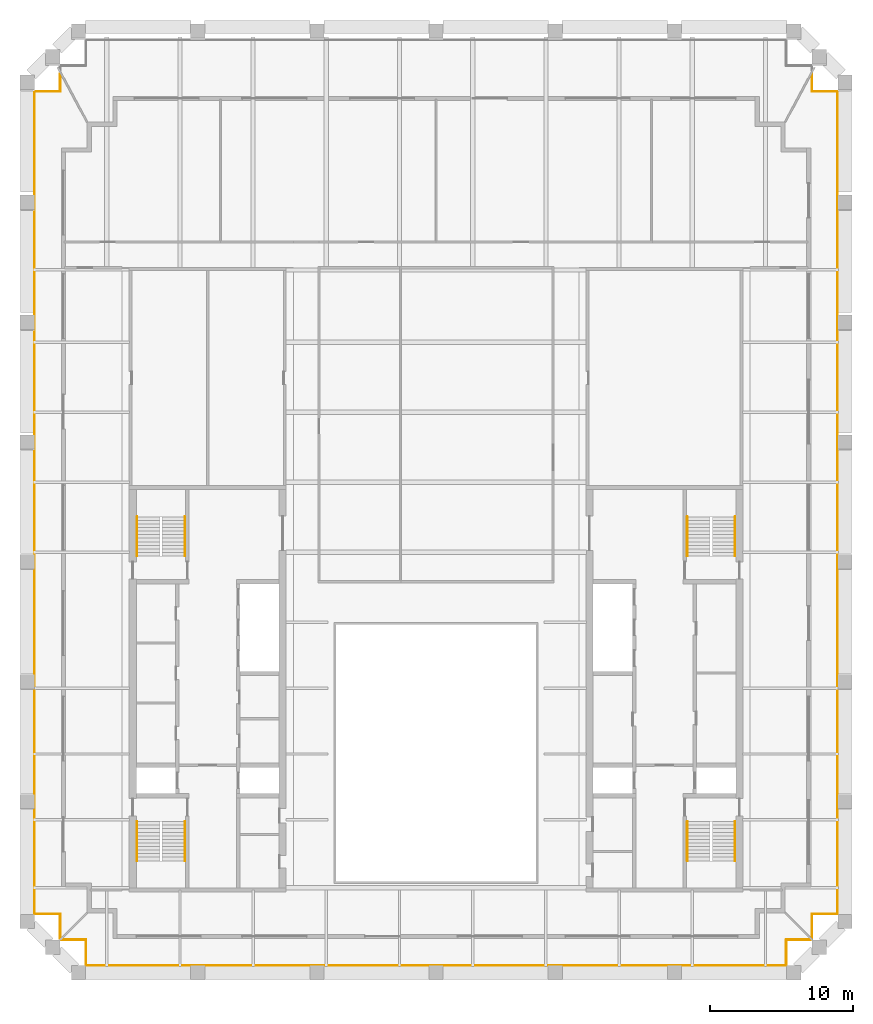
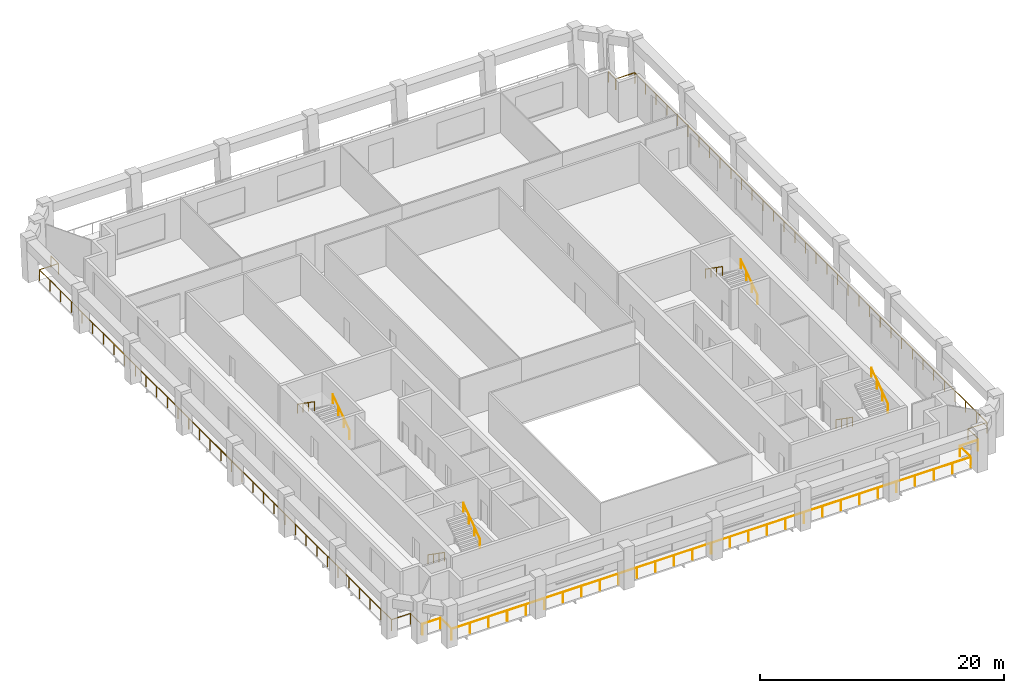
# One storey, part 7 of 8: 11 railings.
"""IFC4 building model written with IfcOpenShell, lengths in metres."""

from ifc_helpers import new_model, si_unit, direction, frame, origin, origin_2d, place, context, subcontext, project, spatial, circle, extrude, material, type_object, element, save


model = new_model("IFC4")

# Units and contexts
model_context = context("Model", 3, precision=1e-05, world=origin(), true_north=direction((0.0, 1.0)))
body_context = subcontext(model_context, "Body", "Model", "MODEL_VIEW")
ifc_project = project(units=[si_unit("LENGTHUNIT", "METRE"), si_unit("AREAUNIT", "SQUARE_METRE"), si_unit("VOLUMEUNIT", "CUBIC_METRE"), si_unit("PLANEANGLEUNIT", "RADIAN"), si_unit("MASSUNIT", "GRAM", prefix="KILO")], contexts=[model_context])

# Site, building, storey
site_placement = place(None, origin())
site = spatial("IfcSite", under=ifc_project, at=site_placement, CompositionType="ELEMENT")
building_placement = place(site_placement, origin())
building = spatial("IfcBuilding", under=site, at=building_placement, Name="Ogive Exchange Tower", CompositionType="ELEMENT")
storey_placement = place(building_placement, frame((0.0, 0.0, 325.800048828125)))
storey = spatial("IfcBuildingStorey", under=building, at=storey_placement, Name="L71", CompositionType="ELEMENT", Elevation=325.800048828125)

# Railings
ifc_material_1 = material(Name="Stainless steel 316", Category="steel")
railing_type_1 = type_object("IfcRailingType", Name="Guard 1100 stainless steel and glass", PredefinedType="GUARDRAIL", material=ifc_material_1)
railing_1_placement = place(storey_placement, frame((26.238037109375, -6.080078125, -0.050048828125)))
element("IfcRailing", 1, at=railing_1_placement, inside=storey, type_object=railing_type_1, Name="Loggia guard 1", PredefinedType="GUARDRAIL", context=body_context, shape_type="SweptSolid", body=[
    extrude(circle(Radius=0.02392578125, at=origin_2d()), frame((0.0, 0.0, 1.076171875), z_axis=(-1.0, 0.0, 0.0), x_axis=(0.0, -1.0, 0.0)), (0.0, 0.0, 1.0), 1.7080078125),
    extrude(circle(Radius=0.02392578125, at=origin_2d()), frame((-1.7080078125, 0.0, 1.076171875), z_axis=(0.0, -1.0, 0.0), x_axis=(1.0, 0.0, 0.0)), (0.0, 0.0, 1.0), 1.7998046875),
    extrude(circle(Radius=0.02392578125, at=origin_2d()), frame((-1.7080078125, -1.7998046875, 1.076171875), z_axis=(-1.0, 0.0, 0.0), x_axis=(0.0, -1.0, 0.0)), (0.0, 0.0, 1.0), 49.06005859375),
    extrude(circle(Radius=0.02392578125, at=origin_2d()), frame((-50.76806640625, -1.7998046875, 1.076171875), z_axis=(0.0, 1.0, 0.0), x_axis=(-1.0, 0.0, 0.0)), (0.0, 0.0, 1.0), 1.7998046875),
    extrude(circle(Radius=0.02392578125, at=origin_2d()), frame((-50.76806640625, 0.0, 1.076171875), z_axis=(-1.0, 0.0, 0.0), x_axis=(0.0, -1.0, 0.0)), (0.0, 0.0, 1.0), 1.7080078125),
    extrude(circle(Radius=0.02099609375, at=origin_2d()), origin(), (0.0, 0.0, 1.0), 1.052001953125),
    extrude(circle(Radius=0.02099609375, at=origin_2d()), frame((-1.7080078125, 0.0, 0.0)), (0.0, 0.0, 1.0), 1.052001953125),
    extrude(circle(Radius=0.02099609375, at=origin_2d()), frame((-1.7080078125, -1.7998046875, 0.0)), (0.0, 0.0, 1.0), 1.052001953125),
    extrude(circle(Radius=0.02099609375, at=origin_2d()), frame((-3.460205078125, -1.7998046875, 0.0)), (0.0, 0.0, 1.0), 1.052001953125),
    extrude(circle(Radius=0.02099609375, at=origin_2d()), frame((-5.21240234375, -1.7998046875, 0.0)), (0.0, 0.0, 1.0), 1.052001953125),
    extrude(circle(Radius=0.02099609375, at=origin_2d()), frame((-6.96435546875, -1.7998046875, 0.0)), (0.0, 0.0, 1.0), 1.052001953125),
    extrude(circle(Radius=0.02099609375, at=origin_2d()), frame((-8.716552734375, -1.7998046875, 0.0)), (0.0, 0.0, 1.0), 1.052001953125),
    extrude(circle(Radius=0.02099609375, at=origin_2d()), frame((-10.46875, -1.7998046875, 0.0)), (0.0, 0.0, 1.0), 1.052001953125),
    extrude(circle(Radius=0.02099609375, at=origin_2d()), frame((-12.220947265625, -1.7998046875, 0.0)), (0.0, 0.0, 1.0), 1.052001953125),
    extrude(circle(Radius=0.02099609375, at=origin_2d()), frame((-13.97314453125, -1.7998046875, 0.0)), (0.0, 0.0, 1.0), 1.052001953125),
    extrude(circle(Radius=0.02099609375, at=origin_2d()), frame((-15.72509765625, -1.7998046875, 0.0)), (0.0, 0.0, 1.0), 1.052001953125),
    extrude(circle(Radius=0.02099609375, at=origin_2d()), frame((-17.477294921875, -1.7998046875, 0.0)), (0.0, 0.0, 1.0), 1.052001953125),
    extrude(circle(Radius=0.02099609375, at=origin_2d()), frame((-19.2294921875, -1.7998046875, 0.0)), (0.0, 0.0, 1.0), 1.052001953125),
    extrude(circle(Radius=0.02099609375, at=origin_2d()), frame((-20.981689453125, -1.7998046875, 0.0)), (0.0, 0.0, 1.0), 1.052001953125),
    extrude(circle(Radius=0.02099609375, at=origin_2d()), frame((-22.733642578125, -1.7998046875, 0.0)), (0.0, 0.0, 1.0), 1.052001953125),
    extrude(circle(Radius=0.02099609375, at=origin_2d()), frame((-24.48583984375, -1.7998046875, 0.0)), (0.0, 0.0, 1.0), 1.052001953125),
    extrude(circle(Radius=0.02099609375, at=origin_2d()), frame((-26.238037109375, -1.7998046875, 0.0)), (0.0, 0.0, 1.0), 1.052001953125),
    extrude(circle(Radius=0.02099609375, at=origin_2d()), frame((-27.990234375, -1.7998046875, 0.0)), (0.0, 0.0, 1.0), 1.052001953125),
    extrude(circle(Radius=0.02099609375, at=origin_2d()), frame((-29.742431640625, -1.7998046875, 0.0)), (0.0, 0.0, 1.0), 1.052001953125),
    extrude(circle(Radius=0.02099609375, at=origin_2d()), frame((-31.494384765625, -1.7998046875, 0.0)), (0.0, 0.0, 1.0), 1.052001953125),
    extrude(circle(Radius=0.02099609375, at=origin_2d()), frame((-33.24658203125, -1.7998046875, 0.0)), (0.0, 0.0, 1.0), 1.052001953125),
    extrude(circle(Radius=0.02099609375, at=origin_2d()), frame((-34.998779296875, -1.7998046875, 0.0)), (0.0, 0.0, 1.0), 1.052001953125),
    extrude(circle(Radius=0.02099609375, at=origin_2d()), frame((-36.7509765625, -1.7998046875, 0.0)), (0.0, 0.0, 1.0), 1.052001953125),
    extrude(circle(Radius=0.02099609375, at=origin_2d()), frame((-38.5029296875, -1.7998046875, 0.0)), (0.0, 0.0, 1.0), 1.052001953125),
    extrude(circle(Radius=0.02099609375, at=origin_2d()), frame((-40.255126953125, -1.7998046875, 0.0)), (0.0, 0.0, 1.0), 1.052001953125),
    extrude(circle(Radius=0.02099609375, at=origin_2d()), frame((-42.00732421875, -1.7998046875, 0.0)), (0.0, 0.0, 1.0), 1.052001953125),
    extrude(circle(Radius=0.02099609375, at=origin_2d()), frame((-43.759521484375, -1.7998046875, 0.0)), (0.0, 0.0, 1.0), 1.052001953125),
    extrude(circle(Radius=0.02099609375, at=origin_2d()), frame((-45.51171875, -1.7998046875, 0.0)), (0.0, 0.0, 1.0), 1.052001953125),
    extrude(circle(Radius=0.02099609375, at=origin_2d()), frame((-47.263671875, -1.7998046875, 0.0)), (0.0, 0.0, 1.0), 1.052001953125),
    extrude(circle(Radius=0.02099609375, at=origin_2d()), frame((-49.015869140625, -1.7998046875, 0.0)), (0.0, 0.0, 1.0), 1.052001953125),
    extrude(circle(Radius=0.02099609375, at=origin_2d()), frame((-50.76806640625, -1.7998046875, 0.0)), (0.0, 0.0, 1.0), 1.052001953125),
    extrude(circle(Radius=0.02099609375, at=origin_2d()), frame((-50.76806640625, 0.0, 0.0)), (0.0, 0.0, 1.0), 1.052001953125),
    extrude(circle(Radius=0.02099609375, at=origin_2d()), frame((-52.47607421875, 0.0, 0.0)), (0.0, 0.0, 1.0), 1.052001953125),
])
railing_2_placement = place(storey_placement, frame((-26.330078125, -5.988037109375, -0.050048828125)))
element("IfcRailing", 2, at=railing_2_placement, inside=storey, type_object=railing_type_1, Name="Loggia guard 2", PredefinedType="GUARDRAIL", context=body_context, shape_type="SweptSolid", body=[
    extrude(circle(Radius=0.02392578125, at=origin_2d()), frame((0.0, 0.0, 1.076171875), z_axis=(0.0, 1.0, 0.0), x_axis=(-1.0, 0.0, 0.0)), (0.0, 0.0, 1.0), 1.7080078125),
    extrude(circle(Radius=0.02392578125, at=origin_2d()), frame((0.0, 1.7080078125, 1.076171875), z_axis=(-1.0, 0.0, 0.0), x_axis=(0.0, -1.0, 0.0)), (0.0, 0.0, 1.0), 1.7998046875),
    extrude(circle(Radius=0.02392578125, at=origin_2d()), frame((-1.7998046875, 1.7080078125, 1.076171875), z_axis=(0.0, 1.0, 0.0), x_axis=(-1.0, 0.0, 0.0)), (0.0, 0.0, 1.0), 57.6328125),
    extrude(circle(Radius=0.02392578125, at=origin_2d()), frame((-1.7998046875, 59.3408203125, 1.076171875), z_axis=(1.0, 0.0, 0.0), x_axis=(0.0, 1.0, 0.0)), (0.0, 0.0, 1.0), 1.7998046875),
    extrude(circle(Radius=0.02392578125, at=origin_2d()), frame((0.0, 59.3408203125, 1.076171875), z_axis=(0.0, 1.0, 0.0), x_axis=(-1.0, 0.0, 0.0)), (0.0, 0.0, 1.0), 1.21337890625),
    extrude(circle(Radius=0.02099609375, at=origin_2d()), origin(), (0.0, 0.0, 1.0), 1.052001953125),
    extrude(circle(Radius=0.02099609375, at=origin_2d()), frame((0.0, 1.7080078125, 0.0)), (0.0, 0.0, 1.0), 1.052001953125),
    extrude(circle(Radius=0.02099609375, at=origin_2d()), frame((-1.7998046875, 1.7080078125, 0.0)), (0.0, 0.0, 1.0), 1.052001953125),
    extrude(circle(Radius=0.02099609375, at=origin_2d()), frame((-1.7998046875, 3.454345703125, 0.0)), (0.0, 0.0, 1.0), 1.052001953125),
    extrude(circle(Radius=0.02099609375, at=origin_2d()), frame((-1.7998046875, 5.200927734375, 0.0)), (0.0, 0.0, 1.0), 1.052001953125),
    extrude(circle(Radius=0.02099609375, at=origin_2d()), frame((-1.7998046875, 6.947265625, 0.0)), (0.0, 0.0, 1.0), 1.052001953125),
    extrude(circle(Radius=0.02099609375, at=origin_2d()), frame((-1.7998046875, 8.69384765625, 0.0)), (0.0, 0.0, 1.0), 1.052001953125),
    extrude(circle(Radius=0.02099609375, at=origin_2d()), frame((-1.7998046875, 10.440185546875, 0.0)), (0.0, 0.0, 1.0), 1.052001953125),
    extrude(circle(Radius=0.02099609375, at=origin_2d()), frame((-1.7998046875, 12.186767578125, 0.0)), (0.0, 0.0, 1.0), 1.052001953125),
    extrude(circle(Radius=0.02099609375, at=origin_2d()), frame((-1.7998046875, 13.93310546875, 0.0)), (0.0, 0.0, 1.0), 1.052001953125),
    extrude(circle(Radius=0.02099609375, at=origin_2d()), frame((-1.7998046875, 15.6796875, 0.0)), (0.0, 0.0, 1.0), 1.052001953125),
    extrude(circle(Radius=0.02099609375, at=origin_2d()), frame((-1.7998046875, 17.426025390625, 0.0)), (0.0, 0.0, 1.0), 1.052001953125),
    extrude(circle(Radius=0.02099609375, at=origin_2d()), frame((-1.7998046875, 19.172607421875, 0.0)), (0.0, 0.0, 1.0), 1.052001953125),
    extrude(circle(Radius=0.02099609375, at=origin_2d()), frame((-1.7998046875, 20.9189453125, 0.0)), (0.0, 0.0, 1.0), 1.052001953125),
    extrude(circle(Radius=0.02099609375, at=origin_2d()), frame((-1.7998046875, 22.665283203125, 0.0)), (0.0, 0.0, 1.0), 1.052001953125),
    extrude(circle(Radius=0.02099609375, at=origin_2d()), frame((-1.7998046875, 24.411865234375, 0.0)), (0.0, 0.0, 1.0), 1.052001953125),
    extrude(circle(Radius=0.02099609375, at=origin_2d()), frame((-1.7998046875, 26.158203125, 0.0)), (0.0, 0.0, 1.0), 1.052001953125),
    extrude(circle(Radius=0.02099609375, at=origin_2d()), frame((-1.7998046875, 27.90478515625, 0.0)), (0.0, 0.0, 1.0), 1.052001953125),
    extrude(circle(Radius=0.02099609375, at=origin_2d()), frame((-1.7998046875, 29.651123046875, 0.0)), (0.0, 0.0, 1.0), 1.052001953125),
    extrude(circle(Radius=0.02099609375, at=origin_2d()), frame((-1.7998046875, 31.397705078125, 0.0)), (0.0, 0.0, 1.0), 1.052001953125),
    extrude(circle(Radius=0.02099609375, at=origin_2d()), frame((-1.7998046875, 33.14404296875, 0.0)), (0.0, 0.0, 1.0), 1.052001953125),
    extrude(circle(Radius=0.02099609375, at=origin_2d()), frame((-1.7998046875, 34.890625, 0.0)), (0.0, 0.0, 1.0), 1.052001953125),
    extrude(circle(Radius=0.02099609375, at=origin_2d()), frame((-1.7998046875, 36.636962890625, 0.0)), (0.0, 0.0, 1.0), 1.052001953125),
    extrude(circle(Radius=0.02099609375, at=origin_2d()), frame((-1.7998046875, 38.383544921875, 0.0)), (0.0, 0.0, 1.0), 1.052001953125),
    extrude(circle(Radius=0.02099609375, at=origin_2d()), frame((-1.7998046875, 40.1298828125, 0.0)), (0.0, 0.0, 1.0), 1.052001953125),
    extrude(circle(Radius=0.02099609375, at=origin_2d()), frame((-1.7998046875, 41.876220703125, 0.0)), (0.0, 0.0, 1.0), 1.052001953125),
    extrude(circle(Radius=0.02099609375, at=origin_2d()), frame((-1.7998046875, 43.622802734375, 0.0)), (0.0, 0.0, 1.0), 1.052001953125),
    extrude(circle(Radius=0.02099609375, at=origin_2d()), frame((-1.7998046875, 45.369140625, 0.0)), (0.0, 0.0, 1.0), 1.052001953125),
    extrude(circle(Radius=0.02099609375, at=origin_2d()), frame((-1.7998046875, 47.11572265625, 0.0)), (0.0, 0.0, 1.0), 1.052001953125),
    extrude(circle(Radius=0.02099609375, at=origin_2d()), frame((-1.7998046875, 48.862060546875, 0.0)), (0.0, 0.0, 1.0), 1.052001953125),
    extrude(circle(Radius=0.02099609375, at=origin_2d()), frame((-1.7998046875, 50.608642578125, 0.0)), (0.0, 0.0, 1.0), 1.052001953125),
    extrude(circle(Radius=0.02099609375, at=origin_2d()), frame((-1.7998046875, 52.35498046875, 0.0)), (0.0, 0.0, 1.0), 1.052001953125),
    extrude(circle(Radius=0.02099609375, at=origin_2d()), frame((-1.7998046875, 54.1015625, 0.0)), (0.0, 0.0, 1.0), 1.052001953125),
    extrude(circle(Radius=0.02099609375, at=origin_2d()), frame((-1.7998046875, 55.847900390625, 0.0)), (0.0, 0.0, 1.0), 1.052001953125),
    extrude(circle(Radius=0.02099609375, at=origin_2d()), frame((-1.7998046875, 57.594482421875, 0.0)), (0.0, 0.0, 1.0), 1.052001953125),
    extrude(circle(Radius=0.02099609375, at=origin_2d()), frame((-1.7998046875, 59.3408203125, 0.0)), (0.0, 0.0, 1.0), 1.052001953125),
    extrude(circle(Radius=0.02099609375, at=origin_2d()), frame((0.0, 59.3408203125, 0.0)), (0.0, 0.0, 1.0), 1.052001953125),
    extrude(circle(Radius=0.02099609375, at=origin_2d()), frame((0.0, 60.55419921875, 0.0)), (0.0, 0.0, 1.0), 1.052001953125),
])
railing_3_placement = place(storey_placement, frame((26.330078125, 54.566162109375, -0.050048828125)))
element("IfcRailing", 3, at=railing_3_placement, inside=storey, type_object=railing_type_1, Name="Loggia guard 4", PredefinedType="GUARDRAIL", context=body_context, shape_type="SweptSolid", body=[
    extrude(circle(Radius=0.02392578125, at=origin_2d()), frame((0.0, 0.0, 1.076171875), z_axis=(0.0, -1.0, 0.0), x_axis=(1.0, 0.0, 0.0)), (0.0, 0.0, 1.0), 1.21337890625),
    extrude(circle(Radius=0.02392578125, at=origin_2d()), frame((0.0, -1.21337890625, 1.076171875), z_axis=(1.0, 0.0, 0.0), x_axis=(0.0, 1.0, 0.0)), (0.0, 0.0, 1.0), 1.7998046875),
    extrude(circle(Radius=0.02392578125, at=origin_2d()), frame((1.7998046875, -1.21337890625, 1.076171875), z_axis=(0.0, -1.0, 0.0), x_axis=(1.0, 0.0, 0.0)), (0.0, 0.0, 1.0), 57.6328125),
    extrude(circle(Radius=0.02392578125, at=origin_2d()), frame((1.7998046875, -58.84619140625, 1.076171875), z_axis=(-1.0, 0.0, 0.0), x_axis=(0.0, -1.0, 0.0)), (0.0, 0.0, 1.0), 1.7998046875),
    extrude(circle(Radius=0.02392578125, at=origin_2d()), frame((0.0, -58.84619140625, 1.076171875), z_axis=(0.0, -1.0, 0.0), x_axis=(1.0, 0.0, 0.0)), (0.0, 0.0, 1.0), 1.7080078125),
    extrude(circle(Radius=0.02099609375, at=origin_2d()), origin(), (0.0, 0.0, 1.0), 1.052001953125),
    extrude(circle(Radius=0.02099609375, at=origin_2d()), frame((0.0, -1.21337890625, 0.0)), (0.0, 0.0, 1.0), 1.052001953125),
    extrude(circle(Radius=0.02099609375, at=origin_2d()), frame((1.7998046875, -1.21337890625, 0.0)), (0.0, 0.0, 1.0), 1.052001953125),
    extrude(circle(Radius=0.02099609375, at=origin_2d()), frame((1.7998046875, -2.959716796875, 0.0)), (0.0, 0.0, 1.0), 1.052001953125),
    extrude(circle(Radius=0.02099609375, at=origin_2d()), frame((1.7998046875, -4.706298828125, 0.0)), (0.0, 0.0, 1.0), 1.052001953125),
    extrude(circle(Radius=0.02099609375, at=origin_2d()), frame((1.7998046875, -6.45263671875, 0.0)), (0.0, 0.0, 1.0), 1.052001953125),
    extrude(circle(Radius=0.02099609375, at=origin_2d()), frame((1.7998046875, -8.19921875, 0.0)), (0.0, 0.0, 1.0), 1.052001953125),
    extrude(circle(Radius=0.02099609375, at=origin_2d()), frame((1.7998046875, -9.945556640625, 0.0)), (0.0, 0.0, 1.0), 1.052001953125),
    extrude(circle(Radius=0.02099609375, at=origin_2d()), frame((1.7998046875, -11.692138671875, 0.0)), (0.0, 0.0, 1.0), 1.052001953125),
    extrude(circle(Radius=0.02099609375, at=origin_2d()), frame((1.7998046875, -13.4384765625, 0.0)), (0.0, 0.0, 1.0), 1.052001953125),
    extrude(circle(Radius=0.02099609375, at=origin_2d()), frame((1.7998046875, -15.18505859375, 0.0)), (0.0, 0.0, 1.0), 1.052001953125),
    extrude(circle(Radius=0.02099609375, at=origin_2d()), frame((1.7998046875, -16.931396484375, 0.0)), (0.0, 0.0, 1.0), 1.052001953125),
    extrude(circle(Radius=0.02099609375, at=origin_2d()), frame((1.7998046875, -18.677978515625, 0.0)), (0.0, 0.0, 1.0), 1.052001953125),
    extrude(circle(Radius=0.02099609375, at=origin_2d()), frame((1.7998046875, -20.42431640625, 0.0)), (0.0, 0.0, 1.0), 1.052001953125),
    extrude(circle(Radius=0.02099609375, at=origin_2d()), frame((1.7998046875, -22.170654296875, 0.0)), (0.0, 0.0, 1.0), 1.052001953125),
    extrude(circle(Radius=0.02099609375, at=origin_2d()), frame((1.7998046875, -23.917236328125, 0.0)), (0.0, 0.0, 1.0), 1.052001953125),
    extrude(circle(Radius=0.02099609375, at=origin_2d()), frame((1.7998046875, -25.66357421875, 0.0)), (0.0, 0.0, 1.0), 1.052001953125),
    extrude(circle(Radius=0.02099609375, at=origin_2d()), frame((1.7998046875, -27.41015625, 0.0)), (0.0, 0.0, 1.0), 1.052001953125),
    extrude(circle(Radius=0.02099609375, at=origin_2d()), frame((1.7998046875, -29.156494140625, 0.0)), (0.0, 0.0, 1.0), 1.052001953125),
    extrude(circle(Radius=0.02099609375, at=origin_2d()), frame((1.7998046875, -30.903076171875, 0.0)), (0.0, 0.0, 1.0), 1.052001953125),
    extrude(circle(Radius=0.02099609375, at=origin_2d()), frame((1.7998046875, -32.6494140625, 0.0)), (0.0, 0.0, 1.0), 1.052001953125),
    extrude(circle(Radius=0.02099609375, at=origin_2d()), frame((1.7998046875, -34.39599609375, 0.0)), (0.0, 0.0, 1.0), 1.052001953125),
    extrude(circle(Radius=0.02099609375, at=origin_2d()), frame((1.7998046875, -36.142333984375, 0.0)), (0.0, 0.0, 1.0), 1.052001953125),
    extrude(circle(Radius=0.02099609375, at=origin_2d()), frame((1.7998046875, -37.888916015625, 0.0)), (0.0, 0.0, 1.0), 1.052001953125),
    extrude(circle(Radius=0.02099609375, at=origin_2d()), frame((1.7998046875, -39.63525390625, 0.0)), (0.0, 0.0, 1.0), 1.052001953125),
    extrude(circle(Radius=0.02099609375, at=origin_2d()), frame((1.7998046875, -41.381591796875, 0.0)), (0.0, 0.0, 1.0), 1.052001953125),
    extrude(circle(Radius=0.02099609375, at=origin_2d()), frame((1.7998046875, -43.128173828125, 0.0)), (0.0, 0.0, 1.0), 1.052001953125),
    extrude(circle(Radius=0.02099609375, at=origin_2d()), frame((1.7998046875, -44.87451171875, 0.0)), (0.0, 0.0, 1.0), 1.052001953125),
    extrude(circle(Radius=0.02099609375, at=origin_2d()), frame((1.7998046875, -46.62109375, 0.0)), (0.0, 0.0, 1.0), 1.052001953125),
    extrude(circle(Radius=0.02099609375, at=origin_2d()), frame((1.7998046875, -48.367431640625, 0.0)), (0.0, 0.0, 1.0), 1.052001953125),
    extrude(circle(Radius=0.02099609375, at=origin_2d()), frame((1.7998046875, -50.114013671875, 0.0)), (0.0, 0.0, 1.0), 1.052001953125),
    extrude(circle(Radius=0.02099609375, at=origin_2d()), frame((1.7998046875, -51.8603515625, 0.0)), (0.0, 0.0, 1.0), 1.052001953125),
    extrude(circle(Radius=0.02099609375, at=origin_2d()), frame((1.7998046875, -53.60693359375, 0.0)), (0.0, 0.0, 1.0), 1.052001953125),
    extrude(circle(Radius=0.02099609375, at=origin_2d()), frame((1.7998046875, -55.353271484375, 0.0)), (0.0, 0.0, 1.0), 1.052001953125),
    extrude(circle(Radius=0.02099609375, at=origin_2d()), frame((1.7998046875, -57.099853515625, 0.0)), (0.0, 0.0, 1.0), 1.052001953125),
    extrude(circle(Radius=0.02099609375, at=origin_2d()), frame((1.7998046875, -58.84619140625, 0.0)), (0.0, 0.0, 1.0), 1.052001953125),
    extrude(circle(Radius=0.02099609375, at=origin_2d()), frame((0.0, -58.84619140625, 0.0)), (0.0, 0.0, 1.0), 1.052001953125),
    extrude(circle(Radius=0.02099609375, at=origin_2d()), frame((0.0, -60.55419921875, 0.0)), (0.0, 0.0, 1.0), 1.052001953125),
])
ifc_material_2 = material(Name="Stainless steel", Category="steel")
railing_type_2 = type_object("IfcRailingType", Name="Stair handrail 900", PredefinedType="HANDRAIL", material=ifc_material_2)
railing_4_placement = place(storey_placement, frame((-20.949951171875, 2.199951171875, 0.175048828125)))
element("IfcRailing", 4, at=railing_4_placement, inside=storey, type_object=railing_type_2, Name="L71 ST1 stair handrail 1", PredefinedType="HANDRAIL", context=body_context, shape_type="SweptSolid", body=[
    extrude(circle(Radius=0.02392578125, at=origin_2d()), frame((0.0, 0.0, 0.8759765625), z_axis=(0.0, -0.819259255306, 0.573423292687), x_axis=(1.0, 0.0, 0.0)), (0.0, 0.0, 1.0), 3.356689453125),
    extrude(circle(Radius=0.02099609375, at=origin_2d()), origin(), (0.0, 0.0, 1.0), 0.851806640625),
    extrude(circle(Radius=0.02099609375, at=origin_2d()), frame((0.0, -0.916748046875, 0.6416015625)), (0.0, 0.0, 1.0), 0.851806640625),
    extrude(circle(Radius=0.02099609375, at=origin_2d()), frame((0.0, -1.833251953125, 1.283203125)), (0.0, 0.0, 1.0), 0.851806640625),
    extrude(circle(Radius=0.02099609375, at=origin_2d()), frame((0.0, -2.75, 1.9248046875)), (0.0, 0.0, 1.0), 0.851806640625),
])
railing_5_placement = place(storey_placement, frame((-17.60009765625, -0.550048828125, 2.27490234375)))
element("IfcRailing", 5, at=railing_5_placement, inside=storey, type_object=railing_type_2, Name="L71 ST1 stair handrail 2", PredefinedType="HANDRAIL", context=body_context, shape_type="SweptSolid", body=[
    extrude(circle(Radius=0.02392578125, at=origin_2d()), frame((0.0, 0.0, 0.8759765625), z_axis=(0.0, 0.819225086817, 0.573472106672), x_axis=(-1.0, 0.0, 0.0)), (0.0, 0.0, 1.0), 3.35693359375),
    extrude(circle(Radius=0.02099609375, at=origin_2d()), origin(), (0.0, 0.0, 1.0), 0.851806640625),
    extrude(circle(Radius=0.02099609375, at=origin_2d()), frame((0.0, 0.916748046875, 0.6416015625)), (0.0, 0.0, 1.0), 0.851806640625),
    extrude(circle(Radius=0.02099609375, at=origin_2d()), frame((0.0, 1.833251953125, 1.283447265625)), (0.0, 0.0, 1.0), 0.851806640625),
    extrude(circle(Radius=0.02099609375, at=origin_2d()), frame((0.0, 2.75, 1.925048828125)), (0.0, 0.0, 1.0), 0.851806640625),
])
railing_6_placement = place(storey_placement, frame((-17.60009765625, 20.800048828125, 0.175048828125)))
element("IfcRailing", 6, at=railing_6_placement, inside=storey, type_object=railing_type_2, Name="L71 ST2 stair handrail 1", PredefinedType="HANDRAIL", context=body_context, shape_type="SweptSolid", body=[
    extrude(circle(Radius=0.02392578125, at=origin_2d()), frame((0.0, 0.0, 0.8759765625), z_axis=(0.0, 0.819259255306, 0.573423292687), x_axis=(-1.0, 0.0, 0.0)), (0.0, 0.0, 1.0), 3.356689453125),
    extrude(circle(Radius=0.02099609375, at=origin_2d()), origin(), (0.0, 0.0, 1.0), 0.851806640625),
    extrude(circle(Radius=0.02099609375, at=origin_2d()), frame((0.0, 0.916748046875, 0.6416015625)), (0.0, 0.0, 1.0), 0.851806640625),
    extrude(circle(Radius=0.02099609375, at=origin_2d()), frame((0.0, 1.833251953125, 1.283203125)), (0.0, 0.0, 1.0), 0.851806640625),
    extrude(circle(Radius=0.02099609375, at=origin_2d()), frame((0.0, 2.75, 1.9248046875)), (0.0, 0.0, 1.0), 0.851806640625),
])
railing_7_placement = place(storey_placement, frame((-20.949951171875, 23.550048828125, 2.27490234375)))
element("IfcRailing", 7, at=railing_7_placement, inside=storey, type_object=railing_type_2, Name="L71 ST2 stair handrail 2", PredefinedType="HANDRAIL", context=body_context, shape_type="SweptSolid", body=[
    extrude(circle(Radius=0.02392578125, at=origin_2d()), frame((0.0, 0.0, 0.8759765625), z_axis=(0.0, -0.819225086817, 0.573472106672), x_axis=(1.0, 0.0, 0.0)), (0.0, 0.0, 1.0), 3.35693359375),
    extrude(circle(Radius=0.02099609375, at=origin_2d()), origin(), (0.0, 0.0, 1.0), 0.851806640625),
    extrude(circle(Radius=0.02099609375, at=origin_2d()), frame((0.0, -0.916748046875, 0.6416015625)), (0.0, 0.0, 1.0), 0.851806640625),
    extrude(circle(Radius=0.02099609375, at=origin_2d()), frame((0.0, -1.833251953125, 1.283447265625)), (0.0, 0.0, 1.0), 0.851806640625),
    extrude(circle(Radius=0.02099609375, at=origin_2d()), frame((0.0, -2.75, 1.925048828125)), (0.0, 0.0, 1.0), 0.851806640625),
])
railing_8_placement = place(storey_placement, frame((17.60009765625, 2.199951171875, 0.175048828125)))
element("IfcRailing", 8, at=railing_8_placement, inside=storey, type_object=railing_type_2, Name="L71 ST3 stair handrail 1", PredefinedType="HANDRAIL", context=body_context, shape_type="SweptSolid", body=[
    extrude(circle(Radius=0.02392578125, at=origin_2d()), frame((0.0, 0.0, 0.8759765625), z_axis=(0.0, -0.819259255306, 0.573423292687), x_axis=(1.0, 0.0, 0.0)), (0.0, 0.0, 1.0), 3.356689453125),
    extrude(circle(Radius=0.02099609375, at=origin_2d()), origin(), (0.0, 0.0, 1.0), 0.851806640625),
    extrude(circle(Radius=0.02099609375, at=origin_2d()), frame((0.0, -0.916748046875, 0.6416015625)), (0.0, 0.0, 1.0), 0.851806640625),
    extrude(circle(Radius=0.02099609375, at=origin_2d()), frame((0.0, -1.833251953125, 1.283203125)), (0.0, 0.0, 1.0), 0.851806640625),
    extrude(circle(Radius=0.02099609375, at=origin_2d()), frame((0.0, -2.75, 1.9248046875)), (0.0, 0.0, 1.0), 0.851806640625),
])
railing_9_placement = place(storey_placement, frame((20.949951171875, -0.550048828125, 2.27490234375)))
element("IfcRailing", 9, at=railing_9_placement, inside=storey, type_object=railing_type_2, Name="L71 ST3 stair handrail 2", PredefinedType="HANDRAIL", context=body_context, shape_type="SweptSolid", body=[
    extrude(circle(Radius=0.02392578125, at=origin_2d()), frame((0.0, 0.0, 0.8759765625), z_axis=(0.0, 0.819225086817, 0.573472106672), x_axis=(-1.0, 0.0, 0.0)), (0.0, 0.0, 1.0), 3.35693359375),
    extrude(circle(Radius=0.02099609375, at=origin_2d()), origin(), (0.0, 0.0, 1.0), 0.851806640625),
    extrude(circle(Radius=0.02099609375, at=origin_2d()), frame((0.0, 0.916748046875, 0.6416015625)), (0.0, 0.0, 1.0), 0.851806640625),
    extrude(circle(Radius=0.02099609375, at=origin_2d()), frame((0.0, 1.833251953125, 1.283447265625)), (0.0, 0.0, 1.0), 0.851806640625),
    extrude(circle(Radius=0.02099609375, at=origin_2d()), frame((0.0, 2.75, 1.925048828125)), (0.0, 0.0, 1.0), 0.851806640625),
])
railing_10_placement = place(storey_placement, frame((20.949951171875, 20.800048828125, 0.175048828125)))
element("IfcRailing", 10, at=railing_10_placement, inside=storey, type_object=railing_type_2, Name="L71 ST4 stair handrail 1", PredefinedType="HANDRAIL", context=body_context, shape_type="SweptSolid", body=[
    extrude(circle(Radius=0.02392578125, at=origin_2d()), frame((0.0, 0.0, 0.8759765625), z_axis=(0.0, 0.819259255306, 0.573423292687), x_axis=(-1.0, 0.0, 0.0)), (0.0, 0.0, 1.0), 3.356689453125),
    extrude(circle(Radius=0.02099609375, at=origin_2d()), origin(), (0.0, 0.0, 1.0), 0.851806640625),
    extrude(circle(Radius=0.02099609375, at=origin_2d()), frame((0.0, 0.916748046875, 0.6416015625)), (0.0, 0.0, 1.0), 0.851806640625),
    extrude(circle(Radius=0.02099609375, at=origin_2d()), frame((0.0, 1.833251953125, 1.283203125)), (0.0, 0.0, 1.0), 0.851806640625),
    extrude(circle(Radius=0.02099609375, at=origin_2d()), frame((0.0, 2.75, 1.9248046875)), (0.0, 0.0, 1.0), 0.851806640625),
])
railing_11_placement = place(storey_placement, frame((17.60009765625, 23.550048828125, 2.27490234375)))
element("IfcRailing", 11, at=railing_11_placement, inside=storey, type_object=railing_type_2, Name="L71 ST4 stair handrail 2", PredefinedType="HANDRAIL", context=body_context, shape_type="SweptSolid", body=[
    extrude(circle(Radius=0.02392578125, at=origin_2d()), frame((0.0, 0.0, 0.8759765625), z_axis=(0.0, -0.819225086817, 0.573472106672), x_axis=(1.0, 0.0, 0.0)), (0.0, 0.0, 1.0), 3.35693359375),
    extrude(circle(Radius=0.02099609375, at=origin_2d()), origin(), (0.0, 0.0, 1.0), 0.851806640625),
    extrude(circle(Radius=0.02099609375, at=origin_2d()), frame((0.0, -0.916748046875, 0.6416015625)), (0.0, 0.0, 1.0), 0.851806640625),
    extrude(circle(Radius=0.02099609375, at=origin_2d()), frame((0.0, -1.833251953125, 1.283447265625)), (0.0, 0.0, 1.0), 0.851806640625),
    extrude(circle(Radius=0.02099609375, at=origin_2d()), frame((0.0, -2.75, 1.925048828125)), (0.0, 0.0, 1.0), 0.851806640625),
])

save(model, "model.ifc")
